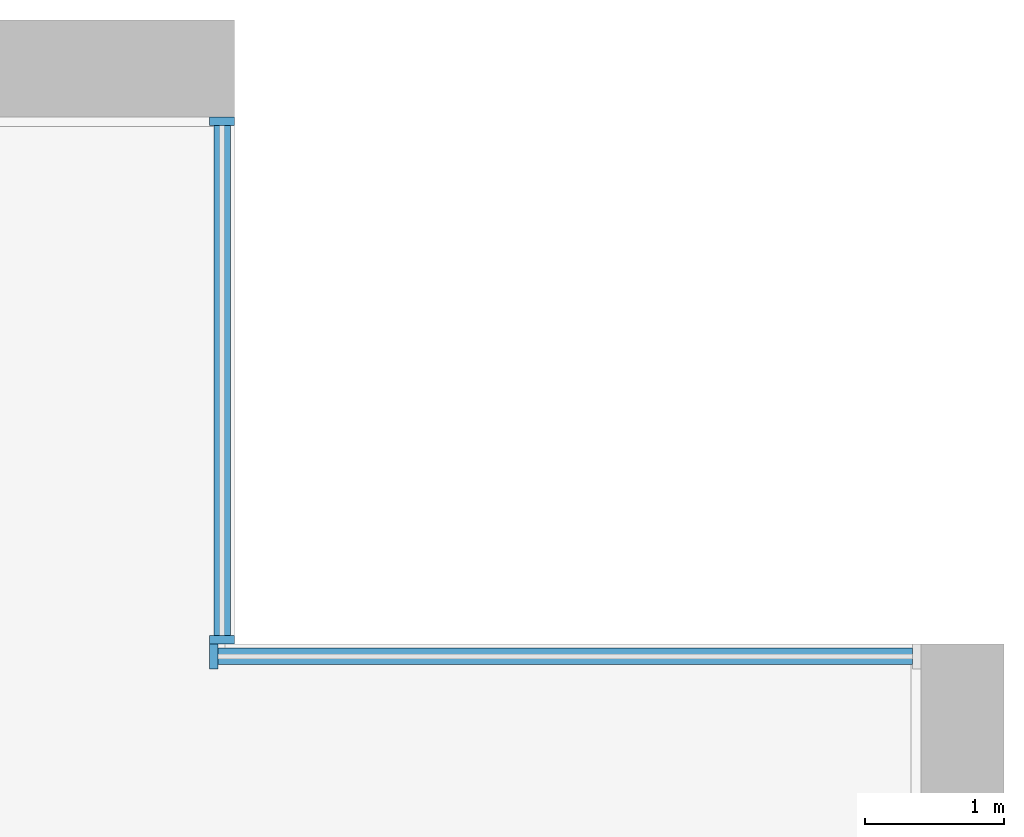
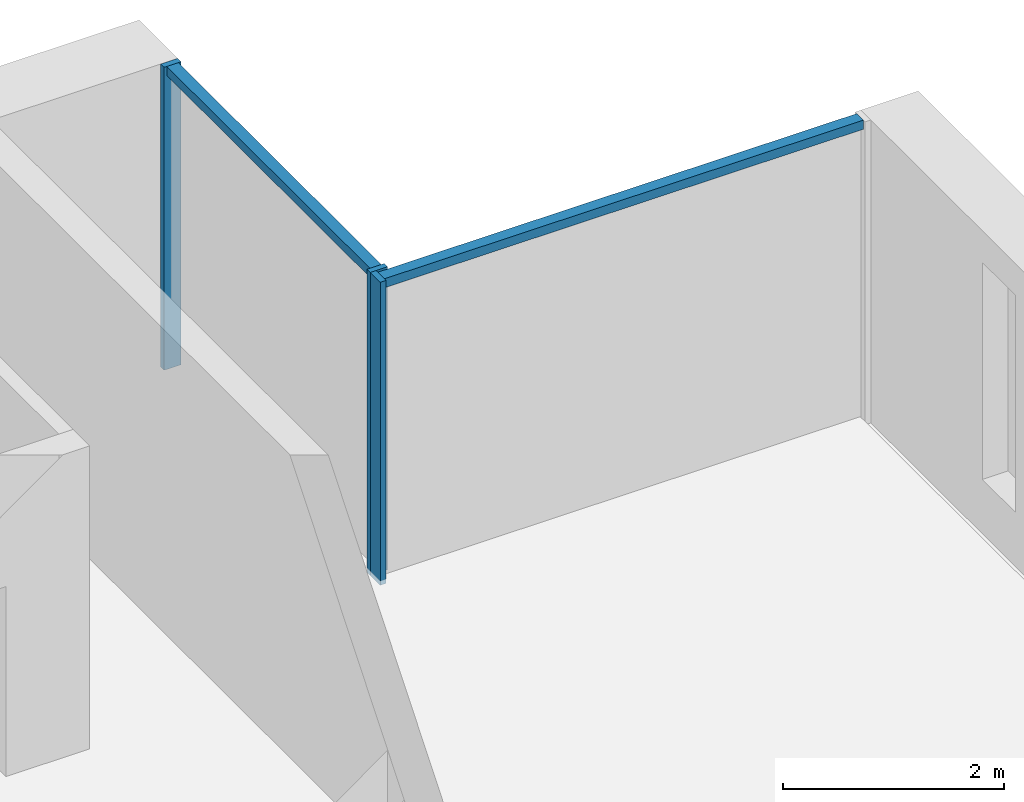
# One storey, part 5 of 17: 5 members, 2 elements without a shape of their own.
"""IFC4 building model written with IfcOpenShell, lengths in metres."""

from ifc_helpers import new_model, si_unit, direction, frame, origin, origin_2d, place, context, subcontext, project, spatial, rectangle, extrude, material, material_profile, profile_set, type_object, element, aggregate, save


model = new_model("IFC4")

# Units and contexts
model_context = context("Model", 3, precision=1e-05, world=origin(), true_north=direction((0.0, 1.0)))
body_context = subcontext(model_context, "Body", "Model", "MODEL_VIEW")
ifc_project = project(units=[si_unit("LENGTHUNIT", "METRE"), si_unit("AREAUNIT", "SQUARE_METRE"), si_unit("VOLUMEUNIT", "CUBIC_METRE"), si_unit("PLANEANGLEUNIT", "RADIAN"), si_unit("MASSUNIT", "GRAM", prefix="KILO")], contexts=[model_context])

# Site, building, storey
site_placement = place(None, origin())
site = spatial("IfcSite", under=ifc_project, at=site_placement, CompositionType="ELEMENT")
building_placement = place(site_placement, origin())
building = spatial("IfcBuilding", under=site, at=building_placement, Name="Calvaro Tower", CompositionType="ELEMENT")
storey_placement = place(building_placement, frame((0.0, 0.0, 208.0)))
storey = spatial("IfcBuildingStorey", under=building, at=storey_placement, Name="L52", CompositionType="ELEMENT", Elevation=208.0)

# Curtain wall, members
ifc_material_1 = material(Name="Anodised aluminium", Category="aluminium")
curtain_wall_type = type_object("IfcCurtainWallType", Name="Office curtain wall, upper zone", PredefinedType="NOTDEFINED", material=ifc_material_1)
curtain_wall_1_placement = place(storey_placement, origin())
curtain_wall_1 = element("IfcCurtainWall", 1, at=curtain_wall_1_placement, inside=storey, type_object=curtain_wall_type, Name="CW3 corner curtain wall", PredefinedType="NOTDEFINED")
ifc_material_2 = material(Name="Anodised aluminium", Category="aluminium")
ifc_material_profile_1 = material_profile(ifc_material_2, rectangle(XDim=0.179931640625, YDim=0.06005859375, at=origin_2d()), Name="Mullion S3 60 x 180")
ifc_profile_set_1 = profile_set([ifc_material_profile_1], Name="Anodised aluminium")
member_type_1 = type_object("IfcMemberType", Name="Mullion S3 60 x 180", PredefinedType="MULLION", material=ifc_profile_set_1)
member_1_placement = place(storey_placement, frame((66.360107421875, 41.530029296875, 0.0), z_axis=(0.0, 0.0, 1.0), x_axis=(-1.0, 0.0, 0.0)))
member_1 = element("IfcMember", 2, at=member_1_placement, type_object=member_type_1, Name="CW3 mullion 1", PredefinedType="MULLION", context=body_context, shape_type="SweptSolid", body=[
    extrude(rectangle(XDim=0.179931640625, YDim=0.06005859375, at=origin_2d()), origin(), (0.0, 0.0, 1.0), 3.35009765625),
])
member_2_placement = place(storey_placement, frame((66.360107421875, 45.27001953125, 0.0), z_axis=(0.0, 0.0, 1.0), x_axis=(-1.0, 0.0, 0.0)))
member_2 = element("IfcMember", 3, at=member_2_placement, type_object=member_type_1, Name="CW3 mullion 2", PredefinedType="MULLION", context=body_context, shape_type="SweptSolid", body=[
    extrude(rectangle(XDim=0.179931640625, YDim=0.06005859375, at=origin_2d()), origin(), (0.0, 0.0, 1.0), 3.35009765625),
])

# Curtain wall, member
curtain_wall_2_placement = place(storey_placement, origin())
curtain_wall_2 = element("IfcCurtainWall", 4, at=curtain_wall_2_placement, inside=storey, type_object=curtain_wall_type, Name="CW3 corner curtain wall", PredefinedType="NOTDEFINED")
member_3_placement = place(storey_placement, frame((66.300048828125, 41.409912109375, 0.0), z_axis=(0.0, 0.0, 1.0), x_axis=(0.0, 1.0, 0.0)))
member_3 = element("IfcMember", 5, at=member_3_placement, type_object=member_type_1, Name="CW3 mullion 1", PredefinedType="MULLION", context=body_context, shape_type="SweptSolid", body=[
    extrude(rectangle(XDim=0.179931640625, YDim=0.06005859375, at=origin_2d()), origin(), (0.0, 0.0, 1.0), 3.35009765625),
])

# Member
ifc_material_3 = material(Name="Anodised aluminium", Category="aluminium")
ifc_material_profile_2 = material_profile(ifc_material_3, rectangle(XDim=0.1201171875, YDim=0.10009765625, at=origin_2d()), Name="Transom S3 100 x 120")
ifc_profile_set_2 = profile_set([ifc_material_profile_2], Name="Anodised aluminium")
member_type_2 = type_object("IfcMemberType", Name="Transom S3 100 x 120", PredefinedType="USERDEFINED", material=ifc_profile_set_2)
member_4_placement = place(storey_placement, frame((66.360107421875, 41.56005859375, 3.300048828125), z_axis=(0.0, 1.0, 0.0), x_axis=(-1.0, 0.0, 0.0)))
member_4 = element("IfcMember", 6, at=member_4_placement, type_object=member_type_2, Name="CW3 transom 1.1", ObjectType="TRANSOM", PredefinedType="USERDEFINED", context=body_context, shape_type="SweptSolid", body=[
    extrude(rectangle(XDim=0.1201171875, YDim=0.10009765625, at=origin_2d()), origin(), (0.0, 0.0, 1.0), 3.679931640625),
])

aggregate(curtain_wall_1, [member_1, member_2, member_4])

member_5_placement = place(storey_placement, frame((66.330078125, 41.409912109375, 3.300048828125), z_axis=(1.0, 0.0, 0.0), x_axis=(0.0, 1.0, 0.0)))
member_5 = element("IfcMember", 7, at=member_5_placement, type_object=member_type_2, Name="CW3 transom 1.1", ObjectType="TRANSOM", PredefinedType="USERDEFINED", context=body_context, shape_type="SweptSolid", body=[
    extrude(rectangle(XDim=0.1201171875, YDim=0.10009765625, at=origin_2d()), origin(), (0.0, 0.0, 1.0), 5.010009765625),
])

aggregate(curtain_wall_2, [member_3, member_5])

save(model, "model.ifc")
